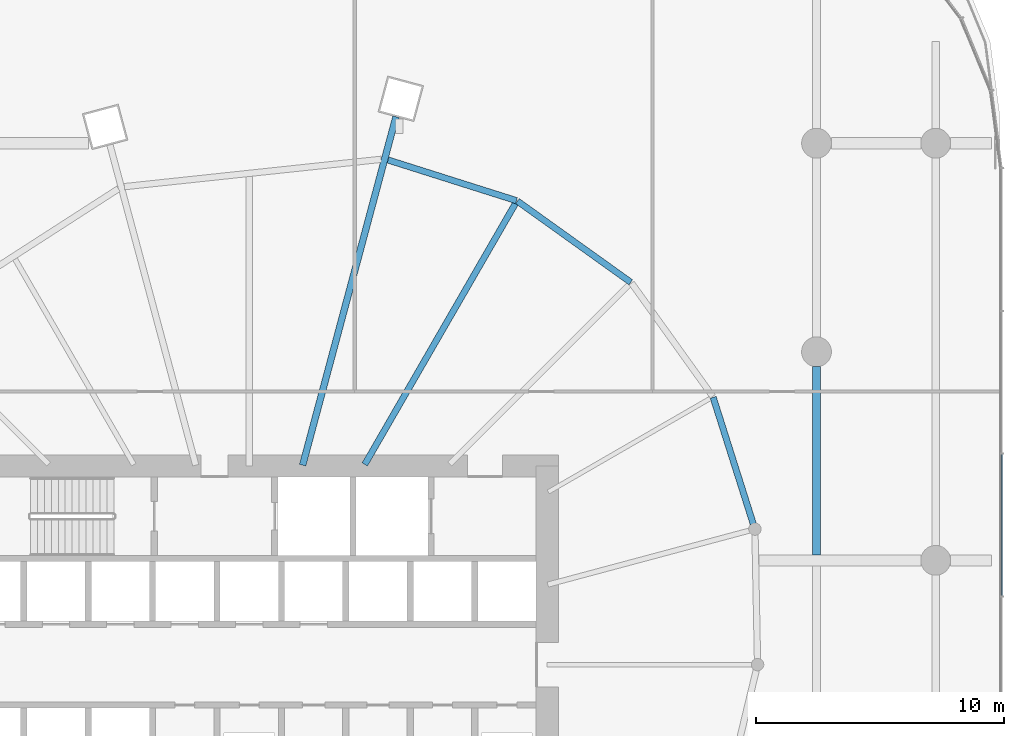
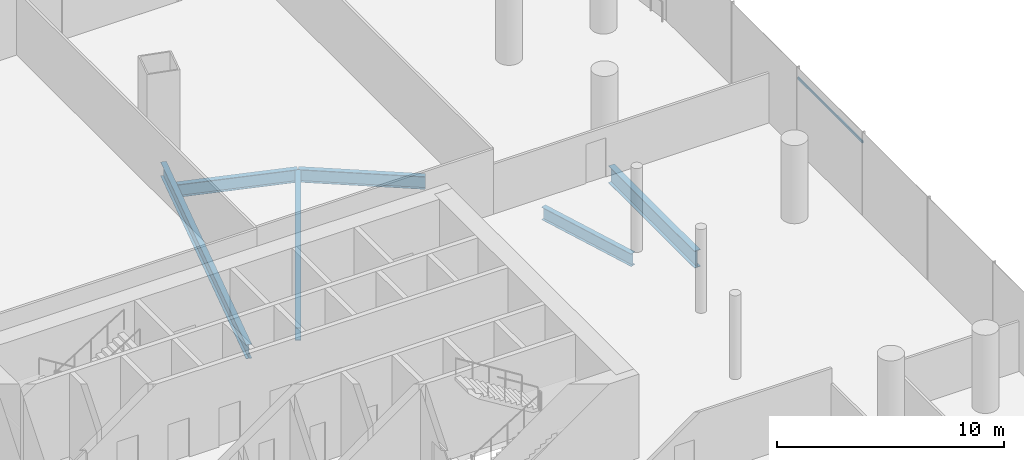
# One storey, part 17 of 43: 6 beams, 1 member, 1 element without a shape of its own.
"""IFC4 building model written with IfcOpenShell, lengths in metres."""

from ifc_helpers import new_model, si_unit, direction, frame, origin, origin_2d, place, context, subcontext, project, spatial, rectangle, i_section, extrude, material, material_profile, profile_set, type_object, element, aggregate, save


model = new_model("IFC4")

# Units and contexts
model_context = context("Model", 3, precision=1e-05, world=origin(), true_north=direction((0.0, 1.0)))
body_context = subcontext(model_context, "Body", "Model", "MODEL_VIEW")
ifc_project = project(units=[si_unit("LENGTHUNIT", "METRE"), si_unit("AREAUNIT", "SQUARE_METRE"), si_unit("VOLUMEUNIT", "CUBIC_METRE"), si_unit("PLANEANGLEUNIT", "RADIAN"), si_unit("MASSUNIT", "GRAM", prefix="KILO")], contexts=[model_context])

# Site, building, storey
site_placement = place(None, origin())
site = spatial("IfcSite", under=ifc_project, at=site_placement, CompositionType="ELEMENT")
building_placement = place(site_placement, origin())
building = spatial("IfcBuilding", under=site, at=building_placement, Name="Rimbun Link Towers", CompositionType="ELEMENT")
storey_placement = place(building_placement, frame((0.0, 0.0, 12.0)))
storey = spatial("IfcBuildingStorey", under=building, at=storey_placement, Name="L02", CompositionType="ELEMENT", Elevation=12.0)

# Curtain wall, member
ifc_material_1 = material(Name="Aluminium 6063-T6 and low-iron glass", Category="aluminium")
curtain_wall_type = type_object("IfcCurtainWallType", Name="CW3 podium shopfront", PredefinedType="NOTDEFINED", material=ifc_material_1)
curtain_wall_placement = place(storey_placement, origin())
curtain_wall = element("IfcCurtainWall", 1, at=curtain_wall_placement, inside=storey, type_object=curtain_wall_type, Name="CW3 L02 PD", PredefinedType="NOTDEFINED")
ifc_material_2 = material(Name="Aluminium 6063-T6", Category="aluminium")
ifc_material_profile_1 = material_profile(ifc_material_2, rectangle(XDim=0.06005859375, YDim=0.1201171875, at=origin_2d()), Name="TRANSOM 60X120")
ifc_profile_set_1 = profile_set([ifc_material_profile_1], Name="Aluminium 6063-T6")
member_type = type_object("IfcMemberType", Name="CW3 transom 60X120", PredefinedType="USERDEFINED", material=ifc_profile_set_1)
member_placement = place(storey_placement, frame((62.053955078125, 8.469970703125, 3.89990234375), z_axis=(0.0, -1.0, 0.0), x_axis=(1.0, 0.0, 0.0)))
member = element("IfcMember", 2, at=member_placement, type_object=member_type, Name="CW3 transom", ObjectType="TRANSOM", PredefinedType="USERDEFINED", context=body_context, shape_type="SweptSolid", body=[
    extrude(rectangle(XDim=0.06005859375, YDim=0.1201171875, at=origin_2d()), origin(), (0.0, 0.0, 1.0), 5.68994140625),
])
aggregate(curtain_wall, [member])

# Beams
ifc_material_3 = material(Name="Steel S355J2", Category="steel")
ifc_material_profile_2 = material_profile(ifc_material_3, i_section(OverallWidth=0.253662109375, OverallDepth=0.68359375, WebThickness=0.012451171875, FlangeThickness=0.01904296875, at=origin_2d()), Name="UB 686x254x140")
ifc_profile_set_2 = profile_set([ifc_material_profile_2], Name="Steel S355J2")
beam_type_1 = type_object("IfcBeamType", Name="UB 686x254x140", PredefinedType="BEAM", material=ifc_profile_set_2)
beam_1_placement = place(storey_placement, frame((36.406005859375, 8.064208984375, -0.641845703125), z_axis=(0.499989563208, 0.866031429385, 0.0), x_axis=(-0.866031429385, 0.499989563208, 0.0)))
element("IfcBeam", 3, at=beam_1_placement, inside=storey, type_object=beam_type_1, Name="Radial beam T2 L02 01", PredefinedType="BEAM", context=body_context, shape_type="SweptSolid", body=[
    extrude(i_section(OverallWidth=0.253662109375, OverallDepth=0.68359375, WebThickness=0.012451171875, FlangeThickness=0.01904296875, at=origin_2d()), origin(), (0.0, 0.0, 1.0), 12.131591796875),
])
beam_2_placement = place(storey_placement, frame((47.118408203125, 15.39892578125, -0.641845703125), z_axis=(-0.81295433095, 0.582327447223, 0.0), x_axis=(-0.582327447223, -0.81295433095, 0.0)))
element("IfcBeam", 4, at=beam_2_placement, inside=storey, type_object=beam_type_1, Name="Edge beam T2 L02 00", PredefinedType="BEAM", context=body_context, shape_type="SweptSolid", body=[
    extrude(i_section(OverallWidth=0.253662109375, OverallDepth=0.68359375, WebThickness=0.012451171875, FlangeThickness=0.01904296875, at=origin_2d()), origin(), (0.0, 0.0, 1.0), 5.615966796875),
])
beam_3_placement = place(storey_placement, frame((42.515625, 18.687744140625, -0.641845703125), z_axis=(-0.953347835156, 0.301873988947, 0.0), x_axis=(-0.301873988947, -0.953347835156, 0.0)))
element("IfcBeam", 5, at=beam_3_placement, inside=storey, type_object=beam_type_1, Name="Edge beam T2 L02 01", PredefinedType="BEAM", context=body_context, shape_type="SweptSolid", body=[
    extrude(i_section(OverallWidth=0.253662109375, OverallDepth=0.68359375, WebThickness=0.012451171875, FlangeThickness=0.01904296875, at=origin_2d()), origin(), (0.0, 0.0, 1.0), 5.427490234375),
])
beam_4_placement = place(storey_placement, frame((52.052001953125, 5.66796875, -0.641845703125), z_axis=(-0.301891704694, 0.953342225351, 0.0), x_axis=(-0.953342225351, -0.301891704694, 0.0)))
element("IfcBeam", 6, at=beam_4_placement, inside=storey, type_object=beam_type_1, Name="Edge beam T2 L02 22", PredefinedType="BEAM", context=body_context, shape_type="SweptSolid", body=[
    extrude(i_section(OverallWidth=0.253662109375, OverallDepth=0.68359375, WebThickness=0.012451171875, FlangeThickness=0.01904296875, at=origin_2d()), origin(), (0.0, 0.0, 1.0), 5.34716796875),
])
ifc_material_4 = material(Name="Steel S355J2", Category="steel")
ifc_material_profile_3 = material_profile(ifc_material_4, i_section(OverallWidth=0.2666015625, OverallDepth=0.76220703125, WebThickness=0.014404296875, FlangeThickness=0.021484375, at=origin_2d()), Name="UB 762x267x173")
ifc_profile_set_3 = profile_set([ifc_material_profile_3], Name="Steel S355J2")
beam_type_2 = type_object("IfcBeamType", Name="UB 762x267x173", PredefinedType="BEAM", material=ifc_profile_set_3)
beam_5_placement = place(storey_placement, frame((33.903076171875, 8.035400390625, -0.68115234375), z_axis=(0.25882261837, 0.965924868828, 0.0), x_axis=(-0.965924868828, 0.25882261837, 0.0)))
element("IfcBeam", 7, at=beam_5_placement, inside=storey, type_object=beam_type_2, Name="Radial beam T2 L02 02", PredefinedType="BEAM", context=body_context, shape_type="SweptSolid", body=[
    extrude(i_section(OverallWidth=0.2666015625, OverallDepth=0.76220703125, WebThickness=0.014404296875, FlangeThickness=0.021484375, at=origin_2d()), origin(), (0.0, 0.0, 1.0), 14.525390625),
])
ifc_material_5 = material(Name="Steel S355J2", Category="steel")
ifc_material_profile_4 = material_profile(ifc_material_5, i_section(OverallWidth=0.305419921875, OverallDepth=0.91845703125, WebThickness=0.017333984375, FlangeThickness=0.02783203125, at=origin_2d()), Name="UB 914x305x253")
ifc_profile_set_4 = profile_set([ifc_material_profile_4], Name="Steel S355J2")
beam_type_3 = type_object("IfcBeamType", Name="UB 914x305x253", PredefinedType="BEAM", material=ifc_profile_set_4)
beam_6_placement = place(storey_placement, frame((54.60009765625, 4.425048828125, -0.75927734375), z_axis=(0.0, 1.0, 0.0), x_axis=(-1.0, 0.0, 0.0)))
element("IfcBeam", 8, at=beam_6_placement, inside=storey, type_object=beam_type_3, Name="Grid beam L02 +54.6", PredefinedType="BEAM", context=body_context, shape_type="SweptSolid", body=[
    extrude(i_section(OverallWidth=0.305419921875, OverallDepth=0.91845703125, WebThickness=0.017333984375, FlangeThickness=0.02783203125, at=origin_2d()), origin(), (0.0, 0.0, 1.0), 7.574951171875),
])

save(model, "model.ifc")
